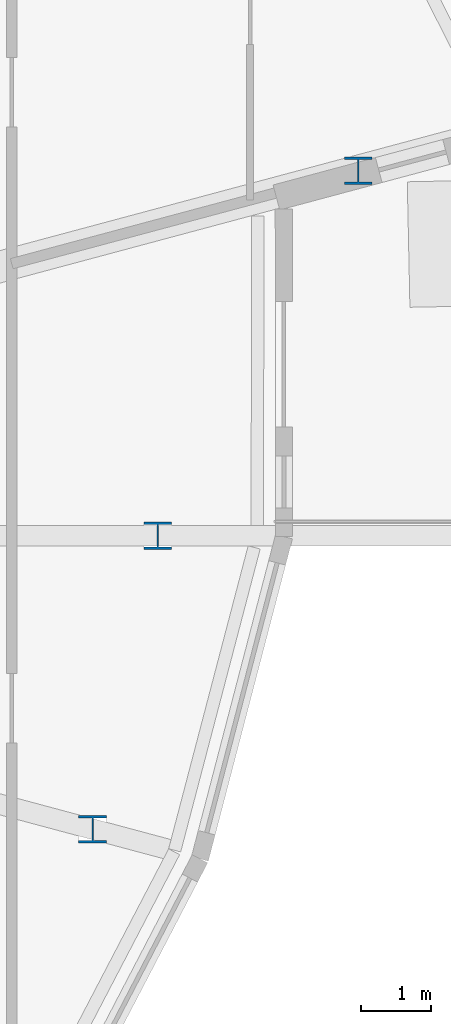
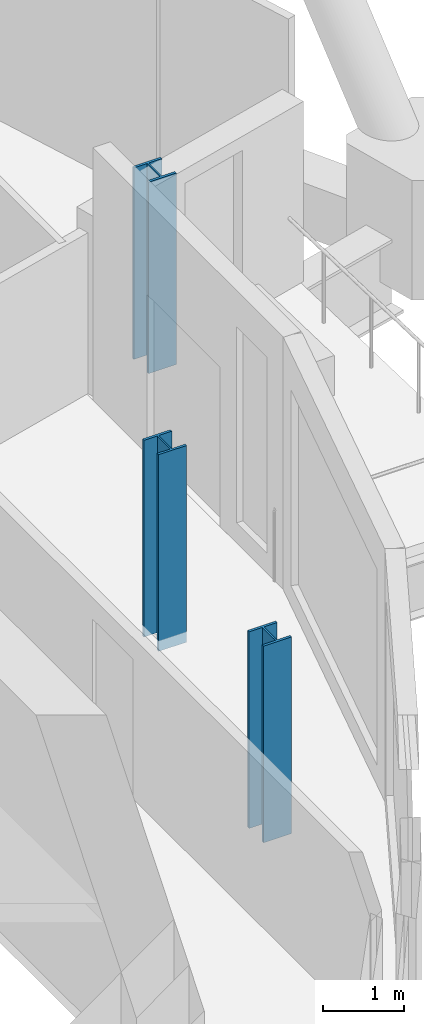
# One storey, part 2 of 38: 3 columns.
"""IFC4 building model written with IfcOpenShell, lengths in metres."""

import ifcopenshell
import ifcopenshell.guid

model = None  # the IFC model being written
_history = None  # IfcOwnerHistory: only IFC2X3 demands one
_inside = {}  # id of a spatial element -> (the spatial element, [elements in it])
_under = {}  # id of a project, library or spatial element -> (it, [spatial elements below it])
_declared = {}  # id of a project -> (the project, [libraries it declares])
_typed = {}  # id of a type object -> (the type object, [elements of that type])
_made_of = {}  # id of a material, layer set ... -> (it, [elements and type objects made of it])


def new_model(schema):
    """Start an empty IFC model of exactly this schema.

    Asked for "IFC4X3", IfcOpenShell would pick the latest addendum, in which some entities
    have other attributes; the version numbers below select the first issue.
    IFC2X3 requires an IfcOwnerHistory on every rooted entity: one is made here for all.
    """
    global model, _history
    if schema == "IFC4X3":
        model = ifcopenshell.file(schema_version=(4, 3, 0, 0))
    else:
        model = ifcopenshell.file(schema=schema)
    _inside.clear()
    _under.clear()
    _declared.clear()
    _typed.clear()
    _made_of.clear()
    _history = None
    if model.schema == "IFC2X3":
        org = make("IfcOrganization", Name="unknown")
        user = make(
            "IfcPersonAndOrganization",
            ThePerson=make("IfcPerson", FamilyName="unknown"),
            TheOrganization=org,
        )
        app = make(
            "IfcApplication",
            ApplicationDeveloper=org,
            Version="unknown",
            ApplicationFullName="unknown",
            ApplicationIdentifier="unknown",
        )
        _history = make(
            "IfcOwnerHistory",
            OwningUser=user,
            OwningApplication=app,
            ChangeAction="ADDED",
            CreationDate=0,
        )
    return model


def make(cls, **values):
    """One entity of the class cls with the attributes given. An attribute that is None is left unset."""
    return model.create_entity(
        cls, **{name: value for name, value in values.items() if value is not None}
    )


def rooted(cls, **values):
    """An entity with a GlobalId (a new one), such as an element, a storey or a relation."""
    return make(cls, GlobalId=ifcopenshell.guid.new(), OwnerHistory=_history, **values)


def si_unit(unit_type, name, prefix=None):
    """IfcSIUnit, for example si_unit("LENGTHUNIT", "METRE", prefix="MILLI")."""
    return make("IfcSIUnit", UnitType=unit_type, Prefix=prefix, Name=name)


def assignment(units):
    """IfcUnitAssignment: the units of a project."""
    return None if units is None else make("IfcUnitAssignment", Units=units)


def point(xyz):
    """IfcCartesianPoint."""
    return None if xyz is None else make("IfcCartesianPoint", Coordinates=xyz)


def direction(xyz):
    """IfcDirection."""
    return None if xyz is None else make("IfcDirection", DirectionRatios=xyz)


def frame(location, z_axis=None, x_axis=None):
    """IfcAxis2Placement3D, a coordinate frame: its origin and axes. An axis left out is left unset."""
    return make(
        "IfcAxis2Placement3D",
        Location=point(location),
        Axis=direction(z_axis),
        RefDirection=direction(x_axis),
    )


def frame_2d(location, x_axis=None):
    """IfcAxis2Placement2D, a coordinate frame in the plane: its origin and x axis."""
    return make(
        "IfcAxis2Placement2D", Location=point(location), RefDirection=direction(x_axis)
    )


def origin():
    """The frame at (0, 0, 0) with its axes left unset."""
    return frame((0.0, 0.0, 0.0))


def origin_2d():
    """The frame at (0, 0) in the plane with its x axis left unset."""
    return frame_2d((0.0, 0.0))


def place(relative_to, where):
    """IfcLocalPlacement: puts the frame where relative to a parent placement (None: the world)."""
    return make(
        "IfcLocalPlacement", PlacementRelTo=relative_to, RelativePlacement=where
    )


def context(
    kind, dimensions, precision=None, world=None, true_north=None, identifier=None
):
    """IfcGeometricRepresentationContext, for example the 3D "Model" context."""
    return make(
        "IfcGeometricRepresentationContext",
        ContextIdentifier=identifier,
        ContextType=kind,
        CoordinateSpaceDimension=dimensions,
        Precision=precision,
        WorldCoordinateSystem=world,
        TrueNorth=true_north,
    )


def subcontext(parent, identifier, kind, view, scale=None):
    """IfcGeometricRepresentationSubContext, for example "Body" below "Model"."""
    return make(
        "IfcGeometricRepresentationSubContext",
        ContextIdentifier=identifier,
        ContextType=kind,
        ParentContext=parent,
        TargetScale=scale,
        TargetView=view,
    )


def project(units=None, contexts=None):
    """IfcProject with its units and contexts."""
    return rooted(
        "IfcProject",
        Name="project",
        RepresentationContexts=contexts,
        UnitsInContext=assignment(units),
    )


def spatial(cls, under=None, at=None, **own):
    """A site, building, storey or space (cls), placed at a placement, below another one or the project."""
    s = rooted(cls, ObjectPlacement=at, **own)
    if under is not None:
        _under.setdefault(under.id(), (under, []))[1].append(s)
    return s


def profile(cls, at=None, kind="AREA", **sizes):
    """A parametric profile (cls). Its sizes go by their IFC names, for example OverallWidth=200.0."""
    return make(cls, ProfileType=kind, Position=at, **sizes)


def i_section(**sizes):
    """IfcIShapeProfileDef."""
    return profile("IfcIShapeProfileDef", **sizes)


def extrude(swept, where, along, depth):
    """IfcExtrudedAreaSolid: the profile swept, set in the frame where, extruded along a direction by depth."""
    return make(
        "IfcExtrudedAreaSolid",
        SweptArea=swept,
        Position=where,
        ExtrudedDirection=direction(along),
        Depth=depth,
    )


def shape(context_of_items, identifier, shape_type, items):
    """IfcShapeRepresentation: the items that make up one representation, for example the "Body"."""
    return make(
        "IfcShapeRepresentation",
        ContextOfItems=context_of_items,
        RepresentationIdentifier=identifier,
        RepresentationType=shape_type,
        Items=items,
    )


def material(Name=None, Category=None):
    """IfcMaterial."""
    return make("IfcMaterial", Name=Name, Category=Category)


def material_profile(
    of_material, cross_section, Name=None, Category=None, Priority=None
):
    """IfcMaterialProfile: a cross section and its material."""
    return make(
        "IfcMaterialProfile",
        Name=Name,
        Material=of_material,
        Profile=cross_section,
        Priority=Priority,
        Category=Category,
    )


def profile_set(profiles, Name=None, composite=None):
    """IfcMaterialProfileSet."""
    return make(
        "IfcMaterialProfileSet",
        Name=Name,
        MaterialProfiles=profiles,
        CompositeProfile=composite,
    )


def made_of(thing, what):
    """Note that an element or type object is made of a material, layer set ...; save() writes the relation."""
    if what is not None:
        _made_of.setdefault(what.id(), (what, []))[1].append(thing)
    return thing


def type_object(cls, material=None, **own):
    """A type object (cls), such as IfcWallType, which elements share."""
    return made_of(rooted(cls, **own), material)


def element(
    cls,
    number,
    at=None,
    inside=None,
    cuts=None,
    type_object=None,
    material=None,
    context=None,
    identifier="Body",
    shape_type=None,
    held_by="IfcProductDefinitionShape",
    body=None,
    shapes=None,
    **own,
):
    """One element of the class cls, such as IfcWall. Its Tag is "e" and its number.

    at: its placement. inside: the storey or other place that contains it. cuts: it is an
    opening in that element (IfcRelVoidsElement). A single representation is given by context,
    identifier, shape_type and body (its items); several are given by shapes. held_by: the class
    of the entity that holds the representations. save() writes the other relations.
    """
    e = rooted(cls, Tag="e%d" % number, ObjectPlacement=at, **own)
    if body is not None:
        shapes = [shape(context, identifier, shape_type, body)]
    if shapes is not None:
        e.Representation = make(held_by, Representations=shapes)
    if inside is not None:
        _inside.setdefault(inside.id(), (inside, []))[1].append(e)
    if cuts is not None:
        rooted(
            "IfcRelVoidsElement", RelatingBuildingElement=cuts, RelatedOpeningElement=e
        )
    if type_object is not None:
        _typed.setdefault(type_object.id(), (type_object, []))[1].append(e)
    return made_of(e, material)


def aggregate(whole, parts):
    """IfcRelAggregates: a whole, such as a stair, and the parts it consists of."""
    return rooted("IfcRelAggregates", RelatingObject=whole, RelatedObjects=parts)


def save(model, path):
    """Write the relations noted so far, then the file.

    IfcRelAggregates (storeys below a building ...), IfcRelContainedInSpatialStructure (elements
    in a storey), IfcRelDefinesByType, IfcRelAssociatesMaterial and IfcRelDeclares: one each for
    every whole, place, type object, material and project.
    """
    for whole, parts in _under.values():
        aggregate(whole, parts)
    for where, things in _inside.values():
        rooted(
            "IfcRelContainedInSpatialStructure",
            RelatedElements=things,
            RelatingStructure=where,
        )
    for kind, things in _typed.values():
        rooted("IfcRelDefinesByType", RelatedObjects=things, RelatingType=kind)
    for what, things in _made_of.values():
        rooted("IfcRelAssociatesMaterial", RelatedObjects=things, RelatingMaterial=what)
    for by, libraries in _declared.values():
        rooted("IfcRelDeclares", RelatingContext=by, RelatedDefinitions=libraries)
    model.write(path)


model = new_model("IFC4")

# Units and contexts
model_context = context("Model", 3, precision=1e-05, world=origin(), true_north=direction((0.0, 1.0)))
body_context = subcontext(model_context, "Body", "Model", "MODEL_VIEW")
ifc_project = project(units=[si_unit("LENGTHUNIT", "METRE"), si_unit("AREAUNIT", "SQUARE_METRE"), si_unit("VOLUMEUNIT", "CUBIC_METRE"), si_unit("PLANEANGLEUNIT", "RADIAN"), si_unit("MASSUNIT", "GRAM", prefix="KILO")], contexts=[model_context])

# Site, building, storey
site_placement = place(None, origin())
site = spatial("IfcSite", under=ifc_project, at=site_placement, CompositionType="ELEMENT")
building_placement = place(site_placement, origin())
building = spatial("IfcBuilding", under=site, at=building_placement, Name="Rimbun Link Towers", CompositionType="ELEMENT")
storey_placement = place(building_placement, frame((0.0, 0.0, 104.39990234375)))
storey = spatial("IfcBuildingStorey", under=building, at=storey_placement, Name="L25", CompositionType="ELEMENT", Elevation=104.39990234375)

# Columns
ifc_material = material(Name="Steel S355J2", Category="steel")
ifc_material_profile = material_profile(ifc_material, i_section(OverallWidth=0.39892578125, OverallDepth=0.3935546875, WebThickness=0.022705078125, FlangeThickness=0.03662109375, at=origin_2d()), Name="UC 356x406x287")
ifc_profile_set = profile_set([ifc_material_profile], Name="Steel S355J2")
column_type = type_object("IfcColumnType", Name="UC 356x406x287", PredefinedType="COLUMN", material=ifc_profile_set)
for number, where, z_axis, x_axis, name in (
    (1, (47.4599609375, -4.20947265625, -0.159912109375), (0.0, 0.0, 1.0), (1.0, 0.0, 0.0), "Crease post T2 L25 20"),
    (2, (48.39453125, 0.0, -0.159912109375), (0.0, 0.0, 1.0), (1.0, 0.0, 0.0), "Crease post T2 L25 21"),
):
    element("IfcColumn", number, at=place(storey_placement, frame(where, z_axis=z_axis, x_axis=x_axis)), inside=storey, type_object=column_type, Name=name, PredefinedType="COLUMN", context=body_context, shape_type="SweptSolid", body=[
        extrude(i_section(OverallWidth=0.39892578125, OverallDepth=0.3935546875, WebThickness=0.022705078125, FlangeThickness=0.03662109375, at=origin_2d()), origin(), (0.0, 0.0, 1.0), 2.959228515625),
    ])
column_placement = place(storey_placement, frame((51.26904296875, 5.22998046875, -0.159912109375), z_axis=(0.0, 0.0, 1.0), x_axis=(1.0, 0.0, 0.0)))
element("IfcColumn", 3, at=column_placement, inside=storey, type_object=column_type, Name="Crease post T2 L25 22", PredefinedType="COLUMN", context=body_context, shape_type="SweptSolid", body=[
    extrude(i_section(OverallWidth=0.39892578125, OverallDepth=0.3935546875, WebThickness=0.022705078125, FlangeThickness=0.03662109375, at=origin_2d()), origin(), (0.0, 0.0, 1.0), 2.881591796875),
])

save(model, "model.ifc")
